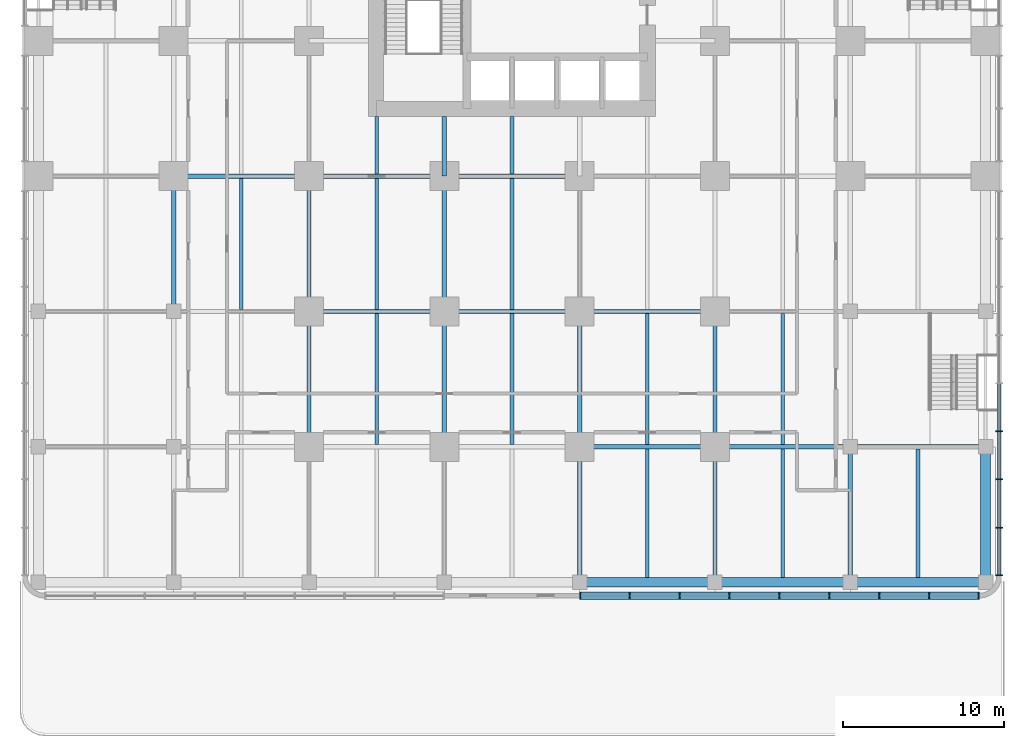
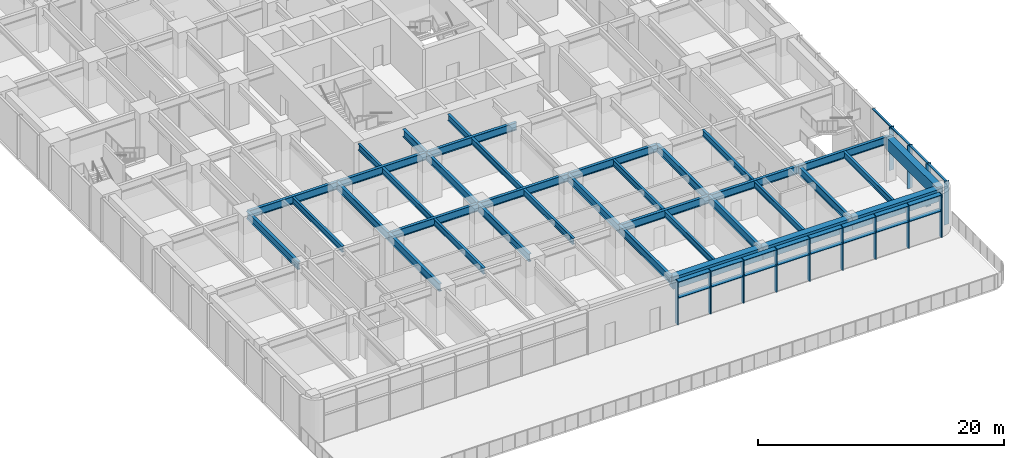
# One storey, part 3 of 20: 36 beams, 33 members, 2 elements without a shape of their own.
"""IFC4 building model written with IfcOpenShell, lengths in metres."""

from ifc_helpers import new_model, si_unit, direction, frame, origin, origin_2d, place, context, subcontext, project, spatial, rectangle, i_section, extrude, material, material_profile, profile_set, type_object, element, aggregate, save


model = new_model("IFC4")

# Units and contexts
model_context = context("Model", 3, precision=1e-05, world=origin(), true_north=direction((0.0, 1.0)))
body_context = subcontext(model_context, "Body", "Model", "MODEL_VIEW")
ifc_project = project(units=[si_unit("LENGTHUNIT", "METRE"), si_unit("AREAUNIT", "SQUARE_METRE"), si_unit("VOLUMEUNIT", "CUBIC_METRE"), si_unit("PLANEANGLEUNIT", "RADIAN"), si_unit("MASSUNIT", "GRAM", prefix="KILO")], contexts=[model_context])

# Site, building, storey
site_placement = place(None, origin())
site = spatial("IfcSite", under=ifc_project, at=site_placement, CompositionType="ELEMENT")
building_placement = place(site_placement, origin())
building = spatial("IfcBuilding", under=site, at=building_placement, Name="Torre Alcanfor", CompositionType="ELEMENT")
storey_placement = place(building_placement, frame((0.0, 0.0, 10.5)))
storey = spatial("IfcBuildingStorey", under=building, at=storey_placement, Name="L02", CompositionType="ELEMENT", Elevation=10.5)

# Curtain wall, members
ifc_material_1 = material(Name="Aluminium and glass", Category="aluminium")
curtain_wall_type_1 = type_object("IfcCurtainWallType", Name="CW-B unitised classroom glazing with vertical FIN", PredefinedType="NOTDEFINED", material=ifc_material_1)
curtain_wall_1_placement = place(storey_placement, origin())
curtain_wall_1 = element("IfcCurtainWall", 1, at=curtain_wall_1_placement, inside=storey, type_object=curtain_wall_type_1, Name="Curtain wall CW-B L02 1", PredefinedType="NOTDEFINED")
ifc_material_2 = material(Name="Bronze anodised aluminium", Category="aluminium")
ifc_material_profile_1 = material_profile(ifc_material_2, rectangle(XDim=0.449951171875, YDim=0.06494140625, at=origin_2d()), Name="CW-B mullion 65x450")
ifc_profile_set_1 = profile_set([ifc_material_profile_1], Name="Bronze anodised aluminium")
member_type_1 = type_object("IfcMemberType", Name="CW-B mullion with vertical FIN 65x450", PredefinedType="MULLION", material=ifc_profile_set_1)
member_1_placement = place(storey_placement, frame((59.64990234375, -7.967529296875, 0.0), z_axis=(0.0, 0.0, 1.0), x_axis=(-1.0, 0.0, 0.0)))
member_1 = element("IfcMember", 2, at=member_1_placement, type_object=member_type_1, Name="CW-B mullion 1.1", PredefinedType="MULLION", context=body_context, shape_type="SweptSolid", body=[
    extrude(rectangle(XDim=0.449951171875, YDim=0.06494140625, at=origin_2d()), origin(), (0.0, 0.0, 1.0), 4.300048828125),
])
member_2_placement = place(storey_placement, frame((59.64990234375, -5.01318359375, 0.0), z_axis=(0.0, 0.0, 1.0), x_axis=(-1.0, 0.0, 0.0)))
member_2 = element("IfcMember", 3, at=member_2_placement, type_object=member_type_1, Name="CW-B mullion 1.2", PredefinedType="MULLION", context=body_context, shape_type="SweptSolid", body=[
    extrude(rectangle(XDim=0.449951171875, YDim=0.06494140625, at=origin_2d()), origin(), (0.0, 0.0, 1.0), 4.300048828125),
])
member_3_placement = place(storey_placement, frame((59.64990234375, -2.0263671875, 0.0), z_axis=(0.0, 0.0, 1.0), x_axis=(-1.0, 0.0, 0.0)))
member_3 = element("IfcMember", 4, at=member_3_placement, type_object=member_type_1, Name="CW-B mullion 1.3", PredefinedType="MULLION", context=body_context, shape_type="SweptSolid", body=[
    extrude(rectangle(XDim=0.449951171875, YDim=0.06494140625, at=origin_2d()), origin(), (0.0, 0.0, 1.0), 4.300048828125),
])
member_4_placement = place(storey_placement, frame((59.64990234375, 0.960693359375, 0.0), z_axis=(0.0, 0.0, 1.0), x_axis=(-1.0, 0.0, 0.0)))
member_4 = element("IfcMember", 5, at=member_4_placement, type_object=member_type_1, Name="CW-B mullion 1.4", PredefinedType="MULLION", context=body_context, shape_type="SweptSolid", body=[
    extrude(rectangle(XDim=0.449951171875, YDim=0.06494140625, at=origin_2d()), origin(), (0.0, 0.0, 1.0), 4.300048828125),
])
ifc_material_3 = material(Name="Extruded aluminium", Category="aluminium")
ifc_material_profile_2 = material_profile(ifc_material_3, rectangle(XDim=0.199951171875, YDim=0.06494140625, at=origin_2d()), Name="CW-B transom 200x65")
ifc_profile_set_2 = profile_set([ifc_material_profile_2], Name="Extruded aluminium")
member_type_2 = type_object("IfcMemberType", Name="CW-B transom 65x200", PredefinedType="USERDEFINED", material=ifc_profile_set_2)
member_5_placement = place(storey_placement, frame((59.64990234375, -7.93505859375, 4.267578125), z_axis=(0.0, 1.0, 0.0), x_axis=(-1.0, 0.0, 0.0)))
member_5 = element("IfcMember", 6, at=member_5_placement, type_object=member_type_2, Name="CW-B transom 1.1.2", ObjectType="TRANSOM", PredefinedType="USERDEFINED", context=body_context, shape_type="SweptSolid", body=[
    extrude(rectangle(XDim=0.199951171875, YDim=0.06494140625, at=origin_2d()), origin(), (0.0, 0.0, 1.0), 2.889404296875),
])
member_6_placement = place(storey_placement, frame((59.64990234375, -4.980712890625, 4.267578125), z_axis=(0.0, 1.0, 0.0), x_axis=(-1.0, 0.0, 0.0)))
member_6 = element("IfcMember", 7, at=member_6_placement, type_object=member_type_2, Name="CW-B transom 1.2.2", ObjectType="TRANSOM", PredefinedType="USERDEFINED", context=body_context, shape_type="SweptSolid", body=[
    extrude(rectangle(XDim=0.199951171875, YDim=0.06494140625, at=origin_2d()), origin(), (0.0, 0.0, 1.0), 2.921875),
])
member_7_placement = place(storey_placement, frame((59.64990234375, -1.99365234375, 4.267578125), z_axis=(0.0, 1.0, 0.0), x_axis=(-1.0, 0.0, 0.0)))
member_7 = element("IfcMember", 8, at=member_7_placement, type_object=member_type_2, Name="CW-B transom 1.3.2", ObjectType="TRANSOM", PredefinedType="USERDEFINED", context=body_context, shape_type="SweptSolid", body=[
    extrude(rectangle(XDim=0.199951171875, YDim=0.06494140625, at=origin_2d()), origin(), (0.0, 0.0, 1.0), 2.921875),
])
member_8_placement = place(storey_placement, frame((59.64990234375, 0.9931640625, 4.267578125), z_axis=(0.0, 1.0, 0.0), x_axis=(-1.0, 0.0, 0.0)))
member_8 = element("IfcMember", 9, at=member_8_placement, type_object=member_type_2, Name="CW-B transom 1.4.2", ObjectType="TRANSOM", PredefinedType="USERDEFINED", context=body_context, shape_type="SweptSolid", body=[
    extrude(rectangle(XDim=0.199951171875, YDim=0.06494140625, at=origin_2d()), origin(), (0.0, 0.0, 1.0), 2.921875),
])
aggregate(curtain_wall_1, [member_1, member_2, member_3, member_4, member_5, member_6, member_7, member_8])

ifc_material_4 = material(Name="Aluminium and glass", Category="aluminium")
curtain_wall_type_2 = type_object("IfcCurtainWallType", Name="CW-F south classroom glazing with SUNSHADE transom", PredefinedType="NOTDEFINED", material=ifc_material_4)
curtain_wall_2_placement = place(storey_placement, origin())
curtain_wall_2 = element("IfcCurtainWall", 10, at=curtain_wall_2_placement, inside=storey, type_object=curtain_wall_type_2, Name="Curtain wall CW-F L02 4", PredefinedType="NOTDEFINED")
ifc_material_5 = material(Name="Extruded aluminium", Category="aluminium")
ifc_material_profile_3 = material_profile(ifc_material_5, rectangle(XDim=0.449951171875, YDim=0.06494140625, at=origin_2d()), Name="CW-F transom 450x65")
ifc_profile_set_3 = profile_set([ifc_material_profile_3], Name="Extruded aluminium")
member_type_3 = type_object("IfcMemberType", Name="CW-F SUNSHADE transom 65x450", PredefinedType="USERDEFINED", material=ifc_profile_set_3)
member_9_placement = place(storey_placement, frame((33.6650390625, -9.25, 2.699951171875), z_axis=(1.0, 0.0, 0.0), x_axis=(0.0, 1.0, 0.0)))
member_9 = element("IfcMember", 11, at=member_9_placement, type_object=member_type_3, Name="CW-F transom 1.2", ObjectType="TRANSOM", PredefinedType="USERDEFINED", context=body_context, shape_type="SweptSolid", body=[
    extrude(rectangle(XDim=0.449951171875, YDim=0.06494140625, at=origin_2d()), origin(), (0.0, 0.0, 1.0), 3.00244140625),
])
member_10_placement = place(storey_placement, frame((33.6650390625, -9.25, 4.267578125), z_axis=(1.0, 0.0, 0.0), x_axis=(0.0, 1.0, 0.0)))
member_10 = element("IfcMember", 12, at=member_10_placement, type_object=member_type_3, Name="CW-F transom 1.3", ObjectType="TRANSOM", PredefinedType="USERDEFINED", context=body_context, shape_type="SweptSolid", body=[
    extrude(rectangle(XDim=0.449951171875, YDim=0.06494140625, at=origin_2d()), origin(), (0.0, 0.0, 1.0), 3.00244140625),
])
member_11_placement = place(storey_placement, frame((36.732421875, -9.25, 2.699951171875), z_axis=(1.0, 0.0, 0.0), x_axis=(0.0, 1.0, 0.0)))
member_11 = element("IfcMember", 13, at=member_11_placement, type_object=member_type_3, Name="CW-F transom 2.2", ObjectType="TRANSOM", PredefinedType="USERDEFINED", context=body_context, shape_type="SweptSolid", body=[
    extrude(rectangle(XDim=0.449951171875, YDim=0.06494140625, at=origin_2d()), origin(), (0.0, 0.0, 1.0), 3.03515625),
])
member_12_placement = place(storey_placement, frame((36.732421875, -9.25, 4.267578125), z_axis=(1.0, 0.0, 0.0), x_axis=(0.0, 1.0, 0.0)))
member_12 = element("IfcMember", 14, at=member_12_placement, type_object=member_type_3, Name="CW-F transom 2.3", ObjectType="TRANSOM", PredefinedType="USERDEFINED", context=body_context, shape_type="SweptSolid", body=[
    extrude(rectangle(XDim=0.449951171875, YDim=0.06494140625, at=origin_2d()), origin(), (0.0, 0.0, 1.0), 3.03515625),
])
member_13_placement = place(storey_placement, frame((39.83251953125, -9.25, 2.699951171875), z_axis=(1.0, 0.0, 0.0), x_axis=(0.0, 1.0, 0.0)))
member_13 = element("IfcMember", 15, at=member_13_placement, type_object=member_type_3, Name="CW-F transom 3.2", ObjectType="TRANSOM", PredefinedType="USERDEFINED", context=body_context, shape_type="SweptSolid", body=[
    extrude(rectangle(XDim=0.449951171875, YDim=0.06494140625, at=origin_2d()), origin(), (0.0, 0.0, 1.0), 3.034912109375),
])
member_14_placement = place(storey_placement, frame((39.83251953125, -9.25, 4.267578125), z_axis=(1.0, 0.0, 0.0), x_axis=(0.0, 1.0, 0.0)))
member_14 = element("IfcMember", 16, at=member_14_placement, type_object=member_type_3, Name="CW-F transom 3.3", ObjectType="TRANSOM", PredefinedType="USERDEFINED", context=body_context, shape_type="SweptSolid", body=[
    extrude(rectangle(XDim=0.449951171875, YDim=0.06494140625, at=origin_2d()), origin(), (0.0, 0.0, 1.0), 3.034912109375),
])
member_15_placement = place(storey_placement, frame((42.9326171875, -9.25, 2.699951171875), z_axis=(1.0, 0.0, 0.0), x_axis=(0.0, 1.0, 0.0)))
member_15 = element("IfcMember", 17, at=member_15_placement, type_object=member_type_3, Name="CW-F transom 4.2", ObjectType="TRANSOM", PredefinedType="USERDEFINED", context=body_context, shape_type="SweptSolid", body=[
    extrude(rectangle(XDim=0.449951171875, YDim=0.06494140625, at=origin_2d()), origin(), (0.0, 0.0, 1.0), 3.034912109375),
])
member_16_placement = place(storey_placement, frame((42.9326171875, -9.25, 4.267578125), z_axis=(1.0, 0.0, 0.0), x_axis=(0.0, 1.0, 0.0)))
member_16 = element("IfcMember", 18, at=member_16_placement, type_object=member_type_3, Name="CW-F transom 4.3", ObjectType="TRANSOM", PredefinedType="USERDEFINED", context=body_context, shape_type="SweptSolid", body=[
    extrude(rectangle(XDim=0.449951171875, YDim=0.06494140625, at=origin_2d()), origin(), (0.0, 0.0, 1.0), 3.034912109375),
])
member_17_placement = place(storey_placement, frame((46.032470703125, -9.25, 2.699951171875), z_axis=(1.0, 0.0, 0.0), x_axis=(0.0, 1.0, 0.0)))
member_17 = element("IfcMember", 19, at=member_17_placement, type_object=member_type_3, Name="CW-F transom 5.2", ObjectType="TRANSOM", PredefinedType="USERDEFINED", context=body_context, shape_type="SweptSolid", body=[
    extrude(rectangle(XDim=0.449951171875, YDim=0.06494140625, at=origin_2d()), origin(), (0.0, 0.0, 1.0), 3.034912109375),
])
member_18_placement = place(storey_placement, frame((46.032470703125, -9.25, 4.267578125), z_axis=(1.0, 0.0, 0.0), x_axis=(0.0, 1.0, 0.0)))
member_18 = element("IfcMember", 20, at=member_18_placement, type_object=member_type_3, Name="CW-F transom 5.3", ObjectType="TRANSOM", PredefinedType="USERDEFINED", context=body_context, shape_type="SweptSolid", body=[
    extrude(rectangle(XDim=0.449951171875, YDim=0.06494140625, at=origin_2d()), origin(), (0.0, 0.0, 1.0), 3.034912109375),
])
member_19_placement = place(storey_placement, frame((49.132568359375, -9.25, 2.699951171875), z_axis=(1.0, 0.0, 0.0), x_axis=(0.0, 1.0, 0.0)))
member_19 = element("IfcMember", 21, at=member_19_placement, type_object=member_type_3, Name="CW-F transom 6.2", ObjectType="TRANSOM", PredefinedType="USERDEFINED", context=body_context, shape_type="SweptSolid", body=[
    extrude(rectangle(XDim=0.449951171875, YDim=0.06494140625, at=origin_2d()), origin(), (0.0, 0.0, 1.0), 3.034912109375),
])
member_20_placement = place(storey_placement, frame((49.132568359375, -9.25, 4.267578125), z_axis=(1.0, 0.0, 0.0), x_axis=(0.0, 1.0, 0.0)))
member_20 = element("IfcMember", 22, at=member_20_placement, type_object=member_type_3, Name="CW-F transom 6.3", ObjectType="TRANSOM", PredefinedType="USERDEFINED", context=body_context, shape_type="SweptSolid", body=[
    extrude(rectangle(XDim=0.449951171875, YDim=0.06494140625, at=origin_2d()), origin(), (0.0, 0.0, 1.0), 3.034912109375),
])
member_21_placement = place(storey_placement, frame((52.232421875, -9.25, 2.699951171875), z_axis=(1.0, 0.0, 0.0), x_axis=(0.0, 1.0, 0.0)))
member_21 = element("IfcMember", 23, at=member_21_placement, type_object=member_type_3, Name="CW-F transom 7.2", ObjectType="TRANSOM", PredefinedType="USERDEFINED", context=body_context, shape_type="SweptSolid", body=[
    extrude(rectangle(XDim=0.449951171875, YDim=0.06494140625, at=origin_2d()), origin(), (0.0, 0.0, 1.0), 3.03515625),
])
member_22_placement = place(storey_placement, frame((52.232421875, -9.25, 4.267578125), z_axis=(1.0, 0.0, 0.0), x_axis=(0.0, 1.0, 0.0)))
member_22 = element("IfcMember", 24, at=member_22_placement, type_object=member_type_3, Name="CW-F transom 7.3", ObjectType="TRANSOM", PredefinedType="USERDEFINED", context=body_context, shape_type="SweptSolid", body=[
    extrude(rectangle(XDim=0.449951171875, YDim=0.06494140625, at=origin_2d()), origin(), (0.0, 0.0, 1.0), 3.03515625),
])
member_23_placement = place(storey_placement, frame((55.33251953125, -9.25, 2.699951171875), z_axis=(1.0, 0.0, 0.0), x_axis=(0.0, 1.0, 0.0)))
member_23 = element("IfcMember", 25, at=member_23_placement, type_object=member_type_3, Name="CW-F transom 8.2", ObjectType="TRANSOM", PredefinedType="USERDEFINED", context=body_context, shape_type="SweptSolid", body=[
    extrude(rectangle(XDim=0.449951171875, YDim=0.06494140625, at=origin_2d()), origin(), (0.0, 0.0, 1.0), 3.00244140625),
])
member_24_placement = place(storey_placement, frame((55.33251953125, -9.25, 4.267578125), z_axis=(1.0, 0.0, 0.0), x_axis=(0.0, 1.0, 0.0)))
member_24 = element("IfcMember", 26, at=member_24_placement, type_object=member_type_3, Name="CW-F transom 8.3", ObjectType="TRANSOM", PredefinedType="USERDEFINED", context=body_context, shape_type="SweptSolid", body=[
    extrude(rectangle(XDim=0.449951171875, YDim=0.06494140625, at=origin_2d()), origin(), (0.0, 0.0, 1.0), 3.00244140625),
])
ifc_material_6 = material(Name="Bronze anodised aluminium", Category="aluminium")
ifc_material_profile_4 = material_profile(ifc_material_6, rectangle(XDim=0.449951171875, YDim=0.06494140625, at=origin_2d()), Name="CW-F mullion 65x450")
ifc_profile_set_4 = profile_set([ifc_material_profile_4], Name="Bronze anodised aluminium")
member_type_4 = type_object("IfcMemberType", Name="CW-F mullion with vertical FIN 65x450", PredefinedType="MULLION", material=ifc_profile_set_4)
member_25_placement = place(storey_placement, frame((33.632568359375, -9.25, 0.0), z_axis=(0.0, 0.0, 1.0), x_axis=(0.0, 1.0, 0.0)))
member_25 = element("IfcMember", 27, at=member_25_placement, type_object=member_type_4, Name="CW-F mullion 1", PredefinedType="MULLION", context=body_context, shape_type="SweptSolid", body=[
    extrude(rectangle(XDim=0.449951171875, YDim=0.06494140625, at=origin_2d()), origin(), (0.0, 0.0, 1.0), 4.300048828125),
])
member_26_placement = place(storey_placement, frame((36.699951171875, -9.25, 0.0), z_axis=(0.0, 0.0, 1.0), x_axis=(0.0, 1.0, 0.0)))
member_26 = element("IfcMember", 28, at=member_26_placement, type_object=member_type_4, Name="CW-F mullion 2", PredefinedType="MULLION", context=body_context, shape_type="SweptSolid", body=[
    extrude(rectangle(XDim=0.449951171875, YDim=0.06494140625, at=origin_2d()), origin(), (0.0, 0.0, 1.0), 4.300048828125),
])
member_27_placement = place(storey_placement, frame((39.800048828125, -9.25, 0.0), z_axis=(0.0, 0.0, 1.0), x_axis=(0.0, 1.0, 0.0)))
member_27 = element("IfcMember", 29, at=member_27_placement, type_object=member_type_4, Name="CW-F mullion 3", PredefinedType="MULLION", context=body_context, shape_type="SweptSolid", body=[
    extrude(rectangle(XDim=0.449951171875, YDim=0.06494140625, at=origin_2d()), origin(), (0.0, 0.0, 1.0), 4.300048828125),
])
member_28_placement = place(storey_placement, frame((42.89990234375, -9.25, 0.0), z_axis=(0.0, 0.0, 1.0), x_axis=(0.0, 1.0, 0.0)))
member_28 = element("IfcMember", 30, at=member_28_placement, type_object=member_type_4, Name="CW-F mullion 4", PredefinedType="MULLION", context=body_context, shape_type="SweptSolid", body=[
    extrude(rectangle(XDim=0.449951171875, YDim=0.06494140625, at=origin_2d()), origin(), (0.0, 0.0, 1.0), 4.300048828125),
])
member_29_placement = place(storey_placement, frame((46.0, -9.25, 0.0), z_axis=(0.0, 0.0, 1.0), x_axis=(0.0, 1.0, 0.0)))
member_29 = element("IfcMember", 31, at=member_29_placement, type_object=member_type_4, Name="CW-F mullion 5", PredefinedType="MULLION", context=body_context, shape_type="SweptSolid", body=[
    extrude(rectangle(XDim=0.449951171875, YDim=0.06494140625, at=origin_2d()), origin(), (0.0, 0.0, 1.0), 4.300048828125),
])
member_30_placement = place(storey_placement, frame((49.10009765625, -9.25, 0.0), z_axis=(0.0, 0.0, 1.0), x_axis=(0.0, 1.0, 0.0)))
member_30 = element("IfcMember", 32, at=member_30_placement, type_object=member_type_4, Name="CW-F mullion 6", PredefinedType="MULLION", context=body_context, shape_type="SweptSolid", body=[
    extrude(rectangle(XDim=0.449951171875, YDim=0.06494140625, at=origin_2d()), origin(), (0.0, 0.0, 1.0), 4.300048828125),
])
member_31_placement = place(storey_placement, frame((52.199951171875, -9.25, 0.0), z_axis=(0.0, 0.0, 1.0), x_axis=(0.0, 1.0, 0.0)))
member_31 = element("IfcMember", 33, at=member_31_placement, type_object=member_type_4, Name="CW-F mullion 7", PredefinedType="MULLION", context=body_context, shape_type="SweptSolid", body=[
    extrude(rectangle(XDim=0.449951171875, YDim=0.06494140625, at=origin_2d()), origin(), (0.0, 0.0, 1.0), 4.300048828125),
])
member_32_placement = place(storey_placement, frame((55.300048828125, -9.25, 0.0), z_axis=(0.0, 0.0, 1.0), x_axis=(0.0, 1.0, 0.0)))
member_32 = element("IfcMember", 34, at=member_32_placement, type_object=member_type_4, Name="CW-F mullion 8", PredefinedType="MULLION", context=body_context, shape_type="SweptSolid", body=[
    extrude(rectangle(XDim=0.449951171875, YDim=0.06494140625, at=origin_2d()), origin(), (0.0, 0.0, 1.0), 4.300048828125),
])
member_33_placement = place(storey_placement, frame((58.367431640625, -9.25, 0.0), z_axis=(0.0, 0.0, 1.0), x_axis=(0.0, 1.0, 0.0)))
member_33 = element("IfcMember", 35, at=member_33_placement, type_object=member_type_4, Name="CW-F mullion 9", PredefinedType="MULLION", context=body_context, shape_type="SweptSolid", body=[
    extrude(rectangle(XDim=0.449951171875, YDim=0.06494140625, at=origin_2d()), origin(), (0.0, 0.0, 1.0), 4.300048828125),
])
aggregate(curtain_wall_2, [member_25, member_26, member_27, member_28, member_29, member_30, member_31, member_32, member_33, member_9, member_10, member_11, member_12, member_13, member_14, member_15, member_16, member_17, member_18, member_19, member_20, member_21, member_22, member_23, member_24])

# Beams
ifc_material_7 = material(Name="Steel ASTM A992 Grade 50", Category="steel")
ifc_material_profile_5 = material_profile(ifc_material_7, i_section(OverallWidth=0.2666015625, OverallDepth=0.7568359375, WebThickness=0.013916015625, FlangeThickness=0.019287109375, at=origin_2d()), Name="W30x108")
ifc_profile_set_5 = profile_set([ifc_material_profile_5], Name="Steel ASTM A992 Grade 50")
beam_type_1 = type_object("IfcBeamType", Name="Girder W30x108", PredefinedType="BEAM", material=ifc_profile_set_5)
for number, where, z_axis, x_axis, name in (
    (36, (33.60009765625, 0.0, 3.921630859375), (1.0, 0.0, 0.0), (0.0, 1.0, 0.0), "Beam 5C-6C under L03"),
    (37, (42.0, 0.0, 3.921630859375), (1.0, 0.0, 0.0), (0.0, 1.0, 0.0), "Beam 6C-7C under L03"),
):
    element("IfcBeam", number, at=place(storey_placement, frame(where, z_axis=z_axis, x_axis=x_axis)), inside=storey, type_object=beam_type_1, Name=name, PredefinedType="BEAM", context=body_context, shape_type="SweptSolid", body=[
        extrude(i_section(OverallWidth=0.2666015625, OverallDepth=0.7568359375, WebThickness=0.013916015625, FlangeThickness=0.019287109375, at=origin_2d()), origin(), (0.0, 0.0, 1.0), 8.39990234375),
    ])
beam_1_placement = place(storey_placement, frame((50.39990234375, 0.0, 3.921630859375), z_axis=(1.0, 0.0, 0.0), x_axis=(0.0, 1.0, 0.0)))
element("IfcBeam", 38, at=beam_1_placement, inside=storey, type_object=beam_type_1, Name="Beam 7C-8C under L03", PredefinedType="BEAM", context=body_context, shape_type="SweptSolid", body=[
    extrude(i_section(OverallWidth=0.2666015625, OverallDepth=0.7568359375, WebThickness=0.013916015625, FlangeThickness=0.019287109375, at=origin_2d()), origin(), (0.0, 0.0, 1.0), 8.400146484375),
])
beam_2_placement = place(storey_placement, frame((16.800048828125, 8.39990234375, 3.921630859375), z_axis=(1.0, 0.0, 0.0), x_axis=(0.0, 1.0, 0.0)))
element("IfcBeam", 39, at=beam_2_placement, inside=storey, type_object=beam_type_1, Name="Beam 3D-4D under L03", PredefinedType="BEAM", context=body_context, shape_type="SweptSolid", body=[
    extrude(i_section(OverallWidth=0.2666015625, OverallDepth=0.7568359375, WebThickness=0.013916015625, FlangeThickness=0.019287109375, at=origin_2d()), origin(), (0.0, 0.0, 1.0), 8.39990234375),
])
beam_3_placement = place(storey_placement, frame((25.199951171875, 8.39990234375, 3.921630859375), z_axis=(1.0, 0.0, 0.0), x_axis=(0.0, 1.0, 0.0)))
element("IfcBeam", 40, at=beam_3_placement, inside=storey, type_object=beam_type_1, Name="Beam 4D-5D under L03", PredefinedType="BEAM", context=body_context, shape_type="SweptSolid", body=[
    extrude(i_section(OverallWidth=0.2666015625, OverallDepth=0.7568359375, WebThickness=0.013916015625, FlangeThickness=0.019287109375, at=origin_2d()), origin(), (0.0, 0.0, 1.0), 8.400146484375),
])
beam_4_placement = place(storey_placement, frame((33.60009765625, 8.39990234375, 3.921630859375), z_axis=(1.0, 0.0, 0.0), x_axis=(0.0, 1.0, 0.0)))
element("IfcBeam", 41, at=beam_4_placement, inside=storey, type_object=beam_type_1, Name="Beam 5D-6D under L03", PredefinedType="BEAM", context=body_context, shape_type="SweptSolid", body=[
    extrude(i_section(OverallWidth=0.2666015625, OverallDepth=0.7568359375, WebThickness=0.013916015625, FlangeThickness=0.019287109375, at=origin_2d()), origin(), (0.0, 0.0, 1.0), 8.39990234375),
])
beam_5_placement = place(storey_placement, frame((8.39990234375, 16.800048828125, 3.921630859375), z_axis=(1.0, 0.0, 0.0), x_axis=(0.0, 1.0, 0.0)))
element("IfcBeam", 42, at=beam_5_placement, inside=storey, type_object=beam_type_1, Name="Beam 2E-3E under L03", PredefinedType="BEAM", context=body_context, shape_type="SweptSolid", body=[
    extrude(i_section(OverallWidth=0.2666015625, OverallDepth=0.7568359375, WebThickness=0.013916015625, FlangeThickness=0.019287109375, at=origin_2d()), origin(), (0.0, 0.0, 1.0), 8.400146484375),
])
beam_6_placement = place(storey_placement, frame((16.800048828125, 16.800048828125, 3.921630859375), z_axis=(1.0, 0.0, 0.0), x_axis=(0.0, 1.0, 0.0)))
element("IfcBeam", 43, at=beam_6_placement, inside=storey, type_object=beam_type_1, Name="Beam 3E-4E under L03", PredefinedType="BEAM", context=body_context, shape_type="SweptSolid", body=[
    extrude(i_section(OverallWidth=0.2666015625, OverallDepth=0.7568359375, WebThickness=0.013916015625, FlangeThickness=0.019287109375, at=origin_2d()), origin(), (0.0, 0.0, 1.0), 8.39990234375),
])
for number, where, z_axis, x_axis, name in (
    (44, (25.199951171875, 16.800048828125, 3.921630859375), (1.0, 0.0, 0.0), (0.0, 1.0, 0.0), "Beam 4E-5E under L03"),
    (45, (8.39990234375, 8.39990234375, 3.921630859375), (0.0, 1.0, 0.0), (-1.0, 0.0, 0.0), "Beam 2D-2E under L03"),
):
    element("IfcBeam", number, at=place(storey_placement, frame(where, z_axis=z_axis, x_axis=x_axis)), inside=storey, type_object=beam_type_1, Name=name, PredefinedType="BEAM", context=body_context, shape_type="SweptSolid", body=[
        extrude(i_section(OverallWidth=0.2666015625, OverallDepth=0.7568359375, WebThickness=0.013916015625, FlangeThickness=0.019287109375, at=origin_2d()), origin(), (0.0, 0.0, 1.0), 8.400146484375),
    ])
beam_7_placement = place(storey_placement, frame((16.800048828125, 0.0, 3.921630859375), z_axis=(0.0, 1.0, 0.0), x_axis=(-1.0, 0.0, 0.0)))
element("IfcBeam", 46, at=beam_7_placement, inside=storey, type_object=beam_type_1, Name="Beam 3C-3D under L03", PredefinedType="BEAM", context=body_context, shape_type="SweptSolid", body=[
    extrude(i_section(OverallWidth=0.2666015625, OverallDepth=0.7568359375, WebThickness=0.013916015625, FlangeThickness=0.019287109375, at=origin_2d()), origin(), (0.0, 0.0, 1.0), 8.39990234375),
])
beam_8_placement = place(storey_placement, frame((16.800048828125, 8.39990234375, 3.921630859375), z_axis=(0.0, 1.0, 0.0), x_axis=(-1.0, 0.0, 0.0)))
element("IfcBeam", 47, at=beam_8_placement, inside=storey, type_object=beam_type_1, Name="Beam 3D-3E under L03", PredefinedType="BEAM", context=body_context, shape_type="SweptSolid", body=[
    extrude(i_section(OverallWidth=0.2666015625, OverallDepth=0.7568359375, WebThickness=0.013916015625, FlangeThickness=0.019287109375, at=origin_2d()), origin(), (0.0, 0.0, 1.0), 8.400146484375),
])
beam_9_placement = place(storey_placement, frame((25.199951171875, 0.0, 3.921630859375), z_axis=(0.0, 1.0, 0.0), x_axis=(-1.0, 0.0, 0.0)))
element("IfcBeam", 48, at=beam_9_placement, inside=storey, type_object=beam_type_1, Name="Beam 4C-4D under L03", PredefinedType="BEAM", context=body_context, shape_type="SweptSolid", body=[
    extrude(i_section(OverallWidth=0.2666015625, OverallDepth=0.7568359375, WebThickness=0.013916015625, FlangeThickness=0.019287109375, at=origin_2d()), origin(), (0.0, 0.0, 1.0), 8.39990234375),
])
beam_10_placement = place(storey_placement, frame((25.199951171875, 8.39990234375, 3.921630859375), z_axis=(0.0, 1.0, 0.0), x_axis=(-1.0, 0.0, 0.0)))
element("IfcBeam", 49, at=beam_10_placement, inside=storey, type_object=beam_type_1, Name="Beam 4D-4E under L03", PredefinedType="BEAM", context=body_context, shape_type="SweptSolid", body=[
    extrude(i_section(OverallWidth=0.2666015625, OverallDepth=0.7568359375, WebThickness=0.013916015625, FlangeThickness=0.019287109375, at=origin_2d()), origin(), (0.0, 0.0, 1.0), 8.400146484375),
])
for number, where, z_axis, x_axis, name in (
    (50, (33.60009765625, -8.39990234375, 3.921630859375), (0.0, 1.0, 0.0), (-1.0, 0.0, 0.0), "Beam 5B-5C under L03"),
    (51, (33.60009765625, 0.0, 3.921630859375), (0.0, 1.0, 0.0), (-1.0, 0.0, 0.0), "Beam 5C-5D under L03"),
    (52, (42.0, -8.39990234375, 3.921630859375), (0.0, 1.0, 0.0), (-1.0, 0.0, 0.0), "Beam 6B-6C under L03"),
    (53, (42.0, 0.0, 3.921630859375), (0.0, 1.0, 0.0), (-1.0, 0.0, 0.0), "Beam 6C-6D under L03"),
    (54, (50.39990234375, -8.39990234375, 3.921630859375), (0.0, 1.0, 0.0), (-1.0, 0.0, 0.0), "Beam 7B-7C under L03"),
):
    element("IfcBeam", number, at=place(storey_placement, frame(where, z_axis=z_axis, x_axis=x_axis)), inside=storey, type_object=beam_type_1, Name=name, PredefinedType="BEAM", context=body_context, shape_type="SweptSolid", body=[
        extrude(i_section(OverallWidth=0.2666015625, OverallDepth=0.7568359375, WebThickness=0.013916015625, FlangeThickness=0.019287109375, at=origin_2d()), origin(), (0.0, 0.0, 1.0), 8.39990234375),
    ])
ifc_material_8 = material(Name="Steel ASTM A992 Grade 50", Category="steel")
ifc_material_profile_6 = material_profile(ifc_material_8, i_section(OverallWidth=0.2666015625, OverallDepth=0.7568359375, WebThickness=0.013916015625, FlangeThickness=0.019287109375, at=origin_2d()), Name="W30x108")
ifc_profile_set_6 = profile_set([ifc_material_profile_6], Name="Steel ASTM A992 Grade 50")
beam_type_2 = type_object("IfcBeamType", Name="Girder, part bay W30x108", PredefinedType="BEAM", material=ifc_profile_set_6)
beam_11_placement = place(storey_placement, frame((25.199951171875, 16.800048828125, 3.921630859375), z_axis=(0.0, 1.0, 0.0), x_axis=(-1.0, 0.0, 0.0)))
element("IfcBeam", 55, at=beam_11_placement, inside=storey, type_object=beam_type_2, Name="Beam 4E-420_5 under L03", PredefinedType="BEAM", context=body_context, shape_type="SweptSolid", body=[
    extrude(i_section(OverallWidth=0.2666015625, OverallDepth=0.7568359375, WebThickness=0.013916015625, FlangeThickness=0.019287109375, at=origin_2d()), origin(), (0.0, 0.0, 1.0), 3.699951171875),
])
ifc_material_9 = material(Name="Concrete f'c 70 MPa", Category="concrete")
ifc_material_profile_7 = material_profile(ifc_material_9, rectangle(XDim=0.60009765625, YDim=1.199951171875, at=origin_2d()), Name="600x1200")
ifc_profile_set_7 = profile_set([ifc_material_profile_7], Name="Concrete f'c 70 MPa")
beam_type_3 = type_object("IfcBeamType", Name="RC perimeter beam 600x1200", PredefinedType="BEAM", material=ifc_profile_set_7)
for number, where, z_axis, x_axis, name in (
    (56, (33.60009765625, -8.39990234375, 3.699951171875), (1.0, 0.0, 0.0), (0.0, 1.0, 0.0), "Beam 5B-6B under L03"),
    (57, (42.0, -8.39990234375, 3.699951171875), (1.0, 0.0, 0.0), (0.0, 1.0, 0.0), "Beam 6B-7B under L03"),
):
    element("IfcBeam", number, at=place(storey_placement, frame(where, z_axis=z_axis, x_axis=x_axis)), inside=storey, type_object=beam_type_3, Name=name, PredefinedType="BEAM", context=body_context, shape_type="SweptSolid", body=[
        extrude(rectangle(XDim=0.60009765625, YDim=1.199951171875, at=origin_2d()), origin(), (0.0, 0.0, 1.0), 8.39990234375),
    ])
beam_12_placement = place(storey_placement, frame((50.39990234375, -8.39990234375, 3.699951171875), z_axis=(1.0, 0.0, 0.0), x_axis=(0.0, 1.0, 0.0)))
element("IfcBeam", 58, at=beam_12_placement, inside=storey, type_object=beam_type_3, Name="Beam 7B-8B under L03", PredefinedType="BEAM", context=body_context, shape_type="SweptSolid", body=[
    extrude(rectangle(XDim=0.60009765625, YDim=1.199951171875, at=origin_2d()), origin(), (0.0, 0.0, 1.0), 8.400146484375),
])
beam_13_placement = place(storey_placement, frame((58.800048828125, -8.39990234375, 3.699951171875), z_axis=(0.0, 1.0, 0.0), x_axis=(-1.0, 0.0, 0.0)))
element("IfcBeam", 59, at=beam_13_placement, inside=storey, type_object=beam_type_3, Name="Beam 8B-8C under L03", PredefinedType="BEAM", context=body_context, shape_type="SweptSolid", body=[
    extrude(rectangle(XDim=0.60009765625, YDim=1.199951171875, at=origin_2d()), origin(), (0.0, 0.0, 1.0), 8.39990234375),
])
ifc_material_10 = material(Name="Steel ASTM A992 Grade 50", Category="steel")
ifc_material_profile_8 = material_profile(ifc_material_10, i_section(OverallWidth=0.22900390625, OverallDepth=0.612060546875, WebThickness=0.011962890625, FlangeThickness=0.01953125, at=origin_2d()), Name="W24x84")
ifc_profile_set_8 = profile_set([ifc_material_profile_8], Name="Steel ASTM A992 Grade 50")
beam_type_4 = type_object("IfcBeamType", Name="Secondary beam W24x84", PredefinedType="BEAM", material=ifc_profile_set_8)
for number, where, z_axis, x_axis, name in (
    (60, (12.60009765625, 8.532958984375, 3.993896484375), (0.0, 1.0, 0.0), (-1.0, 0.0, 0.0), "Beam 12_6D-12_6E under L03"),
    (61, (21.0, 0.133056640625, 3.993896484375), (0.0, 1.0, 0.0), (-1.0, 0.0, 0.0), "Beam 21C-21D under L03"),
    (62, (21.0, 8.532958984375, 3.993896484375), (0.0, 1.0, 0.0), (-1.0, 0.0, 0.0), "Beam 21D-21E under L03"),
    (63, (29.39990234375, 0.133056640625, 3.993896484375), (0.0, 1.0, 0.0), (-1.0, 0.0, 0.0), "Beam 29_4C-29_4D under L03"),
    (64, (29.39990234375, 8.532958984375, 3.993896484375), (0.0, 1.0, 0.0), (-1.0, 0.0, 0.0), "Beam 29_4D-29_4E under L03"),
):
    element("IfcBeam", number, at=place(storey_placement, frame(where, z_axis=z_axis, x_axis=x_axis)), inside=storey, type_object=beam_type_4, Name=name, PredefinedType="BEAM", context=body_context, shape_type="SweptSolid", body=[
        extrude(i_section(OverallWidth=0.22900390625, OverallDepth=0.612060546875, WebThickness=0.011962890625, FlangeThickness=0.01953125, at=origin_2d()), origin(), (0.0, 0.0, 1.0), 8.134033203125),
    ])
beam_14_placement = place(storey_placement, frame((37.800048828125, -8.10009765625, 3.993896484375), z_axis=(0.0, 1.0, 0.0), x_axis=(-1.0, 0.0, 0.0)))
element("IfcBeam", 65, at=beam_14_placement, inside=storey, type_object=beam_type_4, Name="Beam 37_8B-37_8C under L03", PredefinedType="BEAM", context=body_context, shape_type="SweptSolid", body=[
    extrude(i_section(OverallWidth=0.22900390625, OverallDepth=0.612060546875, WebThickness=0.011962890625, FlangeThickness=0.01953125, at=origin_2d()), origin(), (0.0, 0.0, 1.0), 7.967041015625),
])
beam_15_placement = place(storey_placement, frame((37.800048828125, 0.133056640625, 3.993896484375), z_axis=(0.0, 1.0, 0.0), x_axis=(-1.0, 0.0, 0.0)))
element("IfcBeam", 66, at=beam_15_placement, inside=storey, type_object=beam_type_4, Name="Beam 37_8C-37_8D under L03", PredefinedType="BEAM", context=body_context, shape_type="SweptSolid", body=[
    extrude(i_section(OverallWidth=0.22900390625, OverallDepth=0.612060546875, WebThickness=0.011962890625, FlangeThickness=0.01953125, at=origin_2d()), origin(), (0.0, 0.0, 1.0), 8.134033203125),
])
beam_16_placement = place(storey_placement, frame((46.199951171875, -8.10009765625, 3.993896484375), z_axis=(0.0, 1.0, 0.0), x_axis=(-1.0, 0.0, 0.0)))
element("IfcBeam", 67, at=beam_16_placement, inside=storey, type_object=beam_type_4, Name="Beam 46_2B-46_2C under L03", PredefinedType="BEAM", context=body_context, shape_type="SweptSolid", body=[
    extrude(i_section(OverallWidth=0.22900390625, OverallDepth=0.612060546875, WebThickness=0.011962890625, FlangeThickness=0.01953125, at=origin_2d()), origin(), (0.0, 0.0, 1.0), 7.967041015625),
])
beam_17_placement = place(storey_placement, frame((46.199951171875, 0.133056640625, 3.993896484375), z_axis=(0.0, 1.0, 0.0), x_axis=(-1.0, 0.0, 0.0)))
element("IfcBeam", 68, at=beam_17_placement, inside=storey, type_object=beam_type_4, Name="Beam 46_2C-46_2D under L03", PredefinedType="BEAM", context=body_context, shape_type="SweptSolid", body=[
    extrude(i_section(OverallWidth=0.22900390625, OverallDepth=0.612060546875, WebThickness=0.011962890625, FlangeThickness=0.01953125, at=origin_2d()), origin(), (0.0, 0.0, 1.0), 8.134033203125),
])
beam_18_placement = place(storey_placement, frame((54.60009765625, -8.10009765625, 3.993896484375), z_axis=(0.0, 1.0, 0.0), x_axis=(-1.0, 0.0, 0.0)))
element("IfcBeam", 69, at=beam_18_placement, inside=storey, type_object=beam_type_4, Name="Beam 54_6B-54_6C under L03", PredefinedType="BEAM", context=body_context, shape_type="SweptSolid", body=[
    extrude(i_section(OverallWidth=0.22900390625, OverallDepth=0.612060546875, WebThickness=0.011962890625, FlangeThickness=0.01953125, at=origin_2d()), origin(), (0.0, 0.0, 1.0), 7.967041015625),
])
ifc_material_11 = material(Name="Steel ASTM A992 Grade 50", Category="steel")
ifc_material_profile_9 = material_profile(ifc_material_11, i_section(OverallWidth=0.22900390625, OverallDepth=0.612060546875, WebThickness=0.011962890625, FlangeThickness=0.01953125, at=origin_2d()), Name="W24x84")
ifc_profile_set_9 = profile_set([ifc_material_profile_9], Name="Steel ASTM A992 Grade 50")
beam_type_5 = type_object("IfcBeamType", Name="Secondary beam, part bay W24x84", PredefinedType="BEAM", material=ifc_profile_set_9)
for number, where, z_axis, x_axis, name in (
    (70, (21.0, 16.93310546875, 3.993896484375), (0.0, 1.0, 0.0), (-1.0, 0.0, 0.0), "Beam 21E-2120_5 under L03"),
    (71, (29.39990234375, 16.93310546875, 3.993896484375), (0.0, 1.0, 0.0), (-1.0, 0.0, 0.0), "Beam 29_4E-29_420_5 under L03"),
):
    element("IfcBeam", number, at=place(storey_placement, frame(where, z_axis=z_axis, x_axis=x_axis)), inside=storey, type_object=beam_type_5, Name=name, PredefinedType="BEAM", context=body_context, shape_type="SweptSolid", body=[
        extrude(i_section(OverallWidth=0.22900390625, OverallDepth=0.612060546875, WebThickness=0.011962890625, FlangeThickness=0.01953125, at=origin_2d()), origin(), (0.0, 0.0, 1.0), 3.56689453125),
    ])

save(model, "model.ifc")
